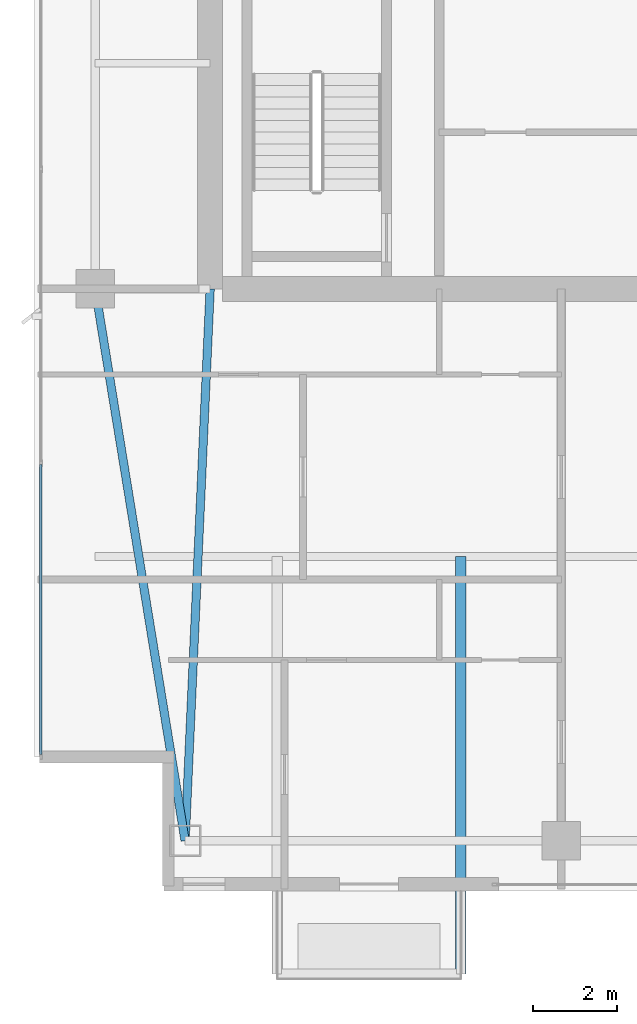
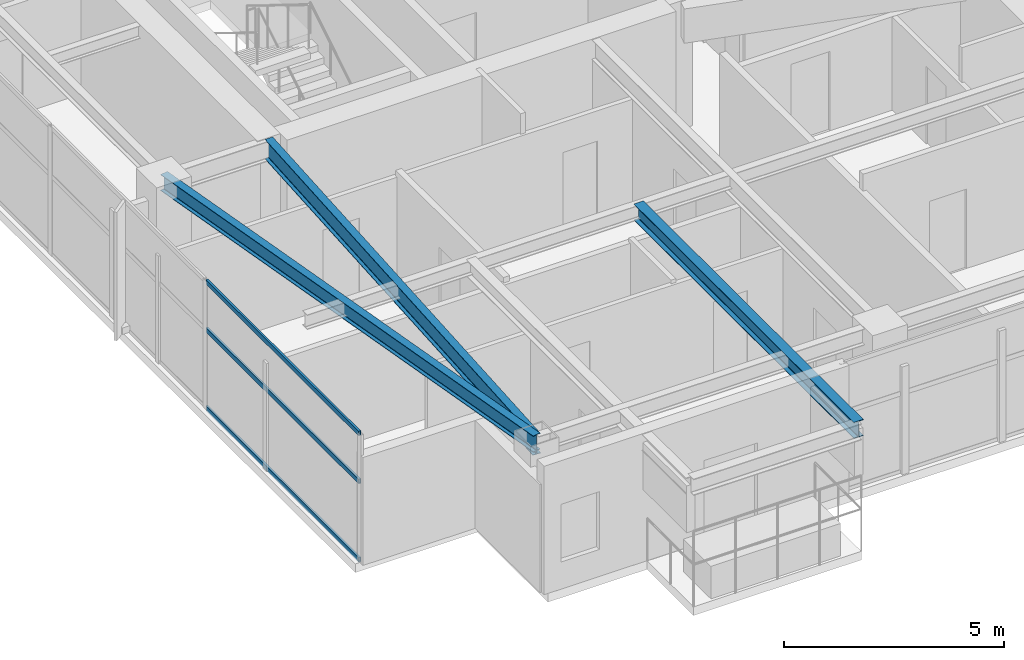
# One storey, part 4 of 27: 3 beams, 3 members, 1 element without a shape of its own.
"""IFC4 building model written with IfcOpenShell, lengths in metres."""

from ifc_helpers import new_model, si_unit, direction, frame, origin, origin_2d, place, context, subcontext, project, spatial, hollow_rectangle, i_section, extrude, material, layer, layer_set, material_profile, profile_set, type_object, element, aggregate, save


model = new_model("IFC4")

# Units and contexts
model_context = context("Model", 3, precision=1e-05, world=origin(), true_north=direction((0.0, 1.0)))
body_context = subcontext(model_context, "Body", "Model", "MODEL_VIEW")
ifc_project = project(units=[si_unit("LENGTHUNIT", "METRE"), si_unit("AREAUNIT", "SQUARE_METRE"), si_unit("VOLUMEUNIT", "CUBIC_METRE"), si_unit("PLANEANGLEUNIT", "RADIAN"), si_unit("MASSUNIT", "GRAM", prefix="KILO")], contexts=[model_context])

# Site, building, storey
site_placement = place(None, origin())
site = spatial("IfcSite", under=ifc_project, at=site_placement, CompositionType="ELEMENT")
building_placement = place(site_placement, origin())
building = spatial("IfcBuilding", under=site, at=building_placement, Name="Calvorn Quay Hotel", CompositionType="ELEMENT")
storey_placement = place(building_placement, frame((0.0, 0.0, 294.89990234375)))
storey = spatial("IfcBuildingStorey", under=building, at=storey_placement, Name="L73", CompositionType="ELEMENT", Elevation=294.89990234375)

# Beams
ifc_material_1 = material(Name="Steel Q355B", Category="steel")
ifc_material_profile_1 = material_profile(ifc_material_1, i_section(OverallWidth=0.25, OverallDepth=0.449951171875, WebThickness=0.011962890625, FlangeThickness=0.01611328125, FilletRadius=0.01611328125, at=origin_2d()), Name="HN450x250x12x16")
ifc_profile_set_1 = profile_set([ifc_material_profile_1], Name="Steel Q355B")
beam_type_1 = type_object("IfcBeamType", Name="BM-CANT-BALC", PredefinedType="BEAM", material=ifc_profile_set_1)
beam_1_placement = place(storey_placement, frame((10.199951171875, 10.39990234375, 3.315185546875), z_axis=(0.0, -1.0, 0.0), x_axis=(1.0, 0.0, 0.0)))
element("IfcBeam", 1, at=beam_1_placement, inside=storey, type_object=beam_type_1, Name="Cantilever Balcony Beam BCB-L74-2B", PredefinedType="BEAM", context=body_context, shape_type="SweptSolid", body=[
    extrude(i_section(OverallWidth=0.25, OverallDepth=0.449951171875, WebThickness=0.011962890625, FlangeThickness=0.01611328125, FilletRadius=0.01611328125, at=origin_2d()), origin(), (0.0, 0.0, 1.0), 9.989990234375),
])
ifc_material_2 = material(Name="Steel Q355B", Category="steel")
ifc_material_profile_2 = material_profile(ifc_material_2, i_section(OverallWidth=0.199951171875, OverallDepth=0.550048828125, WebThickness=0.010009765625, FlangeThickness=0.01611328125, FilletRadius=0.01806640625, at=origin_2d()), Name="HN550x200x10x16")
ifc_profile_set_2 = profile_set([ifc_material_profile_2], Name="Steel Q355B")
beam_type_2 = type_object("IfcBeamType", Name="BM-GIRD-UPP", PredefinedType="BEAM", material=ifc_profile_set_2)
beam_2_placement = place(storey_placement, frame((3.60009765625, 3.60009765625, 3.26513671875), z_axis=(0.045396765494, 0.998969035397, 0.0), x_axis=(-0.998969035397, 0.045396765494, 0.0)))
element("IfcBeam", 2, at=beam_2_placement, inside=storey, type_object=beam_type_2, Name="Beam BG-L73-W0", PredefinedType="BEAM", context=body_context, shape_type="SweptSolid", body=[
    extrude(i_section(OverallWidth=0.199951171875, OverallDepth=0.550048828125, WebThickness=0.010009765625, FlangeThickness=0.01611328125, FilletRadius=0.01806640625, at=origin_2d()), origin(), (0.0, 0.0, 1.0), 13.213623046875),
])
ifc_material_3 = material(Name="Steel Q355B", Category="steel")
ifc_material_profile_3 = material_profile(ifc_material_3, i_section(OverallWidth=0.199951171875, OverallDepth=0.449951171875, WebThickness=0.009033203125, FlangeThickness=0.013916015625, FilletRadius=0.01611328125, at=origin_2d()), Name="HN450x200x9x14")
ifc_profile_set_3 = profile_set([ifc_material_profile_3], Name="Steel Q355B")
beam_type_3 = type_object("IfcBeamType", Name="BM-SPANDREL-Z3", PredefinedType="SPANDREL", material=ifc_profile_set_3)
beam_3_placement = place(storey_placement, frame((3.60009765625, 3.60009765625, 3.315185546875), z_axis=(-0.16077155054, 0.986991645627, 0.0), x_axis=(-0.986991645627, -0.16077155054, 0.0)))
element("IfcBeam", 3, at=beam_3_placement, inside=storey, type_object=beam_type_3, Name="Beam BSP-L73-W1", PredefinedType="SPANDREL", context=body_context, shape_type="SweptSolid", body=[
    extrude(i_section(OverallWidth=0.199951171875, OverallDepth=0.449951171875, WebThickness=0.009033203125, FlangeThickness=0.013916015625, FilletRadius=0.01611328125, at=origin_2d()), origin(), (0.0, 0.0, 1.0), 13.3740234375),
])

# Curtain wall, members
ifc_material_4 = material(Name="Champagne Bronze Anodised Aluminium and Low-E Glass", Category="aluminium")
ifc_layer = layer(ifc_material_4, 0.219970703125)
ifc_layer_set = layer_set([ifc_layer], Name="CW-SYS-Z4")
curtain_wall_type = type_object("IfcCurtainWallType", Name="CW-SYS-Z4", PredefinedType="NOTDEFINED", material=ifc_layer_set)
curtain_wall_placement = place(storey_placement, origin())
curtain_wall = element("IfcCurtainWall", 4, at=curtain_wall_placement, inside=storey, type_object=curtain_wall_type, Name="Tower West Curtain Wall (L73)", PredefinedType="NOTDEFINED")
ifc_material_5 = material(Name="Champagne Bronze Anodised Aluminium 6063-T6", Category="aluminium")
ifc_material_profile_4 = material_profile(ifc_material_5, hollow_rectangle(XDim=0.054931640625, YDim=0.1298828125, WallThickness=0.003173828125, at=origin_2d()), Name="ALU-T130x55x3.2")
ifc_profile_set_4 = profile_set([ifc_material_profile_4], Name="Champagne Bronze Anodised Aluminium 6063-T6")
member_type = type_object("IfcMemberType", Name="CW-SYS-Z4-TRN", PredefinedType="USERDEFINED", material=ifc_profile_set_4)
member_1_placement = place(storey_placement, frame((0.14990234375, 5.659912109375, 0.030029296875), z_axis=(0.0, 1.0, 0.0), x_axis=(-1.0, 0.0, 0.0)))
member_1 = element("IfcMember", 5, at=member_1_placement, type_object=member_type, Name="CW-L73-W transom 1.1", ObjectType="TRANSOM", PredefinedType="USERDEFINED", context=body_context, shape_type="SweptSolid", body=[
    extrude(hollow_rectangle(XDim=0.054931640625, YDim=0.1298828125, WallThickness=0.003173828125, at=origin_2d()), origin(), (0.0, 0.0, 1.0), 6.943359375),
])
member_2_placement = place(storey_placement, frame((0.14990234375, 5.659912109375, 2.2001953125), z_axis=(0.0, 1.0, 0.0), x_axis=(-1.0, 0.0, 0.0)))
member_2 = element("IfcMember", 6, at=member_2_placement, type_object=member_type, Name="CW-L73-W transom 1.2", ObjectType="TRANSOM", PredefinedType="USERDEFINED", context=body_context, shape_type="SweptSolid", body=[
    extrude(hollow_rectangle(XDim=0.054931640625, YDim=0.1298828125, WallThickness=0.003173828125, at=origin_2d()), origin(), (0.0, 0.0, 1.0), 6.943359375),
])
member_3_placement = place(storey_placement, frame((0.14990234375, 5.659912109375, 3.530029296875), z_axis=(0.0, 1.0, 0.0), x_axis=(-1.0, 0.0, 0.0)))
member_3 = element("IfcMember", 7, at=member_3_placement, type_object=member_type, Name="CW-L73-W transom 1.3", ObjectType="TRANSOM", PredefinedType="USERDEFINED", context=body_context, shape_type="SweptSolid", body=[
    extrude(hollow_rectangle(XDim=0.054931640625, YDim=0.1298828125, WallThickness=0.003173828125, at=origin_2d()), origin(), (0.0, 0.0, 1.0), 6.943359375),
])
aggregate(curtain_wall, [member_1, member_2, member_3])

save(model, "model.ifc")
